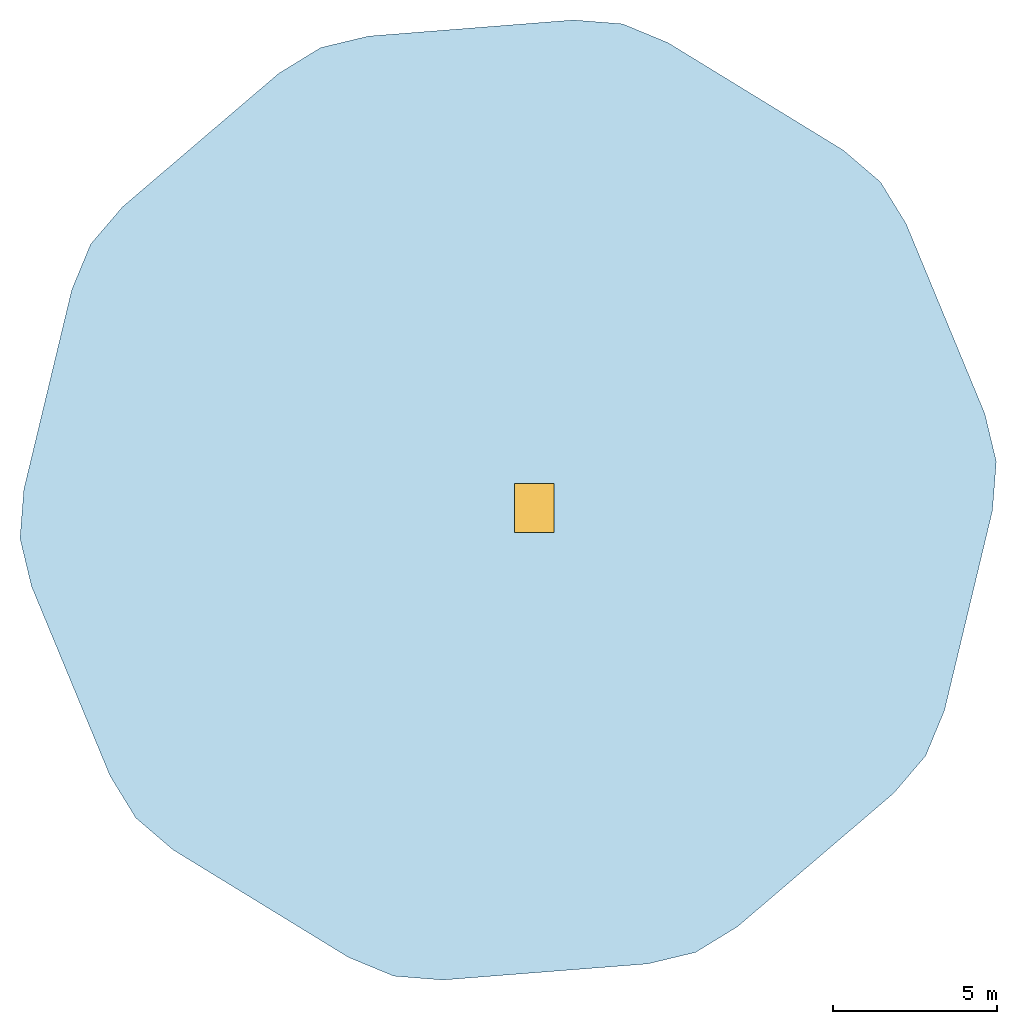
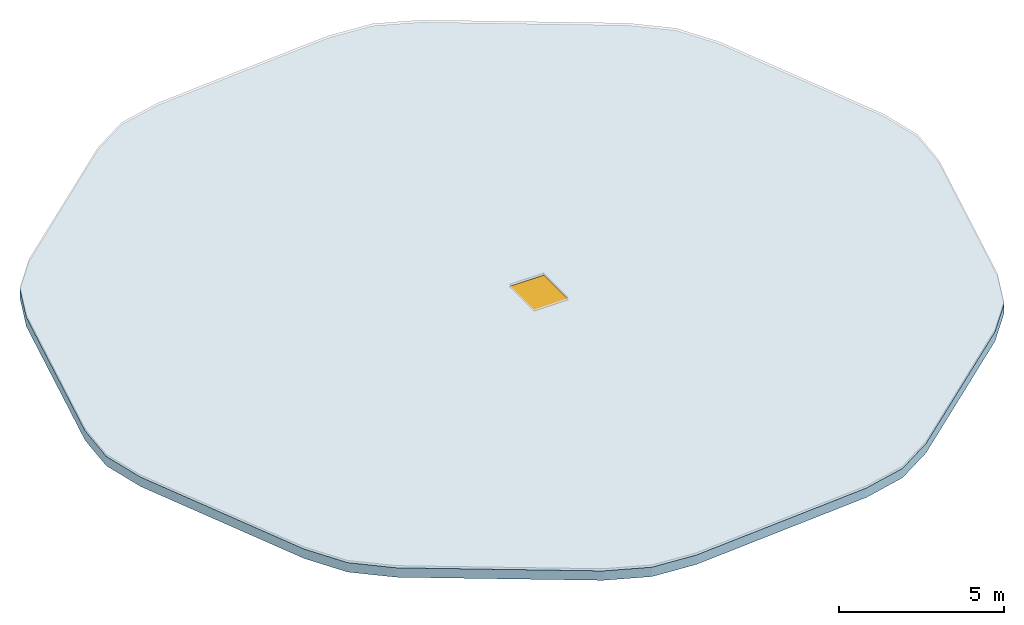
# One storey, part 1 of 2: 1 slab, 1 window, 1 opening.
"""IFC4 building model written with IfcOpenShell, lengths in metres."""

from ifc_helpers import new_model, si_unit, direction, frame, origin, origin_2d, place, context, subcontext, project, spatial, polyline, rectangle, outline, extrude, material, layer, layer_set, type_object, element, fill, save


model = new_model("IFC4")

# Units and contexts
model_context = context("Model", 3, precision=1e-05, world=origin(), true_north=direction((0.0, 1.0)))
body_context = subcontext(model_context, "Body", "Model", "MODEL_VIEW")
ifc_project = project(units=[si_unit("LENGTHUNIT", "METRE"), si_unit("AREAUNIT", "SQUARE_METRE"), si_unit("VOLUMEUNIT", "CUBIC_METRE"), si_unit("PLANEANGLEUNIT", "RADIAN"), si_unit("MASSUNIT", "GRAM", prefix="KILO")], contexts=[model_context])

# Site, building, storey
site_placement = place(None, origin())
site = spatial("IfcSite", under=ifc_project, at=site_placement, CompositionType="ELEMENT")
building_placement = place(site_placement, origin())
building = spatial("IfcBuilding", under=site, at=building_placement, Name="Soratama Intermodal Tower", CompositionType="ELEMENT")
storey_placement = place(building_placement, frame((0.0, 0.0, 322.10009765625)))
storey = spatial("IfcBuildingStorey", under=building, at=storey_placement, Name="ROOF", CompositionType="ELEMENT", Elevation=322.10009765625)

# Slab, opening, window
ifc_material_1 = material(Name="Concrete f'c 42 MPa", Category="concrete")
ifc_layer = layer(ifc_material_1, 0.35009765625)
ifc_layer_set = layer_set([ifc_layer], Name="Concrete f'c 42 MPa")
slab_type = type_object("IfcSlabType", Name="SL-ROOF-350", PredefinedType="ROOF", material=ifc_layer_set)
slab_placement = place(storey_placement, origin())
slab = element("IfcSlab", 1, at=slab_placement, inside=storey, type_object=slab_type, Name="ROOF Crown Main Roof Slab", PredefinedType="ROOF", context=body_context, shape_type="SweptSolid", body=[
    extrude(outline(polyline([(46.478271484375, 38.965087890625), (45.0908203125, 39.539794921875), (43.593505859375, 39.65771484375), (37.337890625, 39.165283203125), (35.877685546875, 38.814697265625), (34.597412109375, 38.030029296875), (29.82568359375, 33.954833984375), (28.8505859375, 32.81298828125), (28.27587890625, 31.425537109375), (26.810791015625, 25.323974609375), (26.693115234375, 23.826904296875), (27.043701171875, 22.366455078125), (29.445068359375, 16.5693359375), (30.229736328125, 15.288818359375), (31.37158203125, 14.3134765625), (36.7216796875, 11.034912109375), (38.109375, 10.460205078125), (39.6064453125, 10.34228515625), (45.862060546875, 10.834716796875), (47.322265625, 11.185302734375), (48.602783203125, 11.969970703125), (53.374267578125, 16.045166015625), (54.349609375, 17.18701171875), (54.92431640625, 18.574462890625), (56.38916015625, 24.676025390625), (56.5068359375, 26.173095703125), (56.15625, 27.633544921875), (53.7548828125, 33.4306640625), (52.97021484375, 34.711181640625), (51.828369140625, 35.6865234375), (46.478271484375, 38.965087890625)]), holes=[polyline([(41.800048828125, 24.0), (43.0, 24.0), (43.0, 25.5), (41.800048828125, 25.5), (41.800048828125, 24.0)])]), origin(), (0.0, 0.0, 1.0), 0.349853515625),
])
opening_placement = place(slab_placement, frame((42.39990234375, 24.75, 0.0)))
opening = element("IfcOpeningElement", 2, at=opening_placement, cuts=slab, Name="Opening RH-1", PredefinedType="OPENING", context=body_context, shape_type="SweptSolid", body=[
    extrude(rectangle(XDim=1.199951171875, YDim=1.5, at=origin_2d()), origin(), (0.0, 0.0, 1.0), 0.349853515625),
])
ifc_material_2 = material(Name="Double-glazed aluminium window", Category="aluminium")
window_type = type_object("IfcWindowType", Name="WN-HATCH-1200", PartitioningType="SINGLE_PANEL", PredefinedType="SKYLIGHT", material=ifc_material_2)
window_placement = place(opening_placement, frame((0.0, 0.0, 0.2998046875)))
window = element("IfcWindow", 3, at=window_placement, inside=storey, type_object=window_type, Name="ROOF Access Hatch", OverallHeight=1.5, OverallWidth=1.199951171875, PartitioningType="SINGLE_PANEL", PredefinedType="SKYLIGHT", context=body_context, shape_type="SweptSolid", body=[
    extrude(rectangle(XDim=1.199951171875, YDim=1.5, at=origin_2d()), origin(), (0.0, 0.0, 1.0), 0.050048828125),
])
fill(opening, window)

save(model, "model.ifc")
